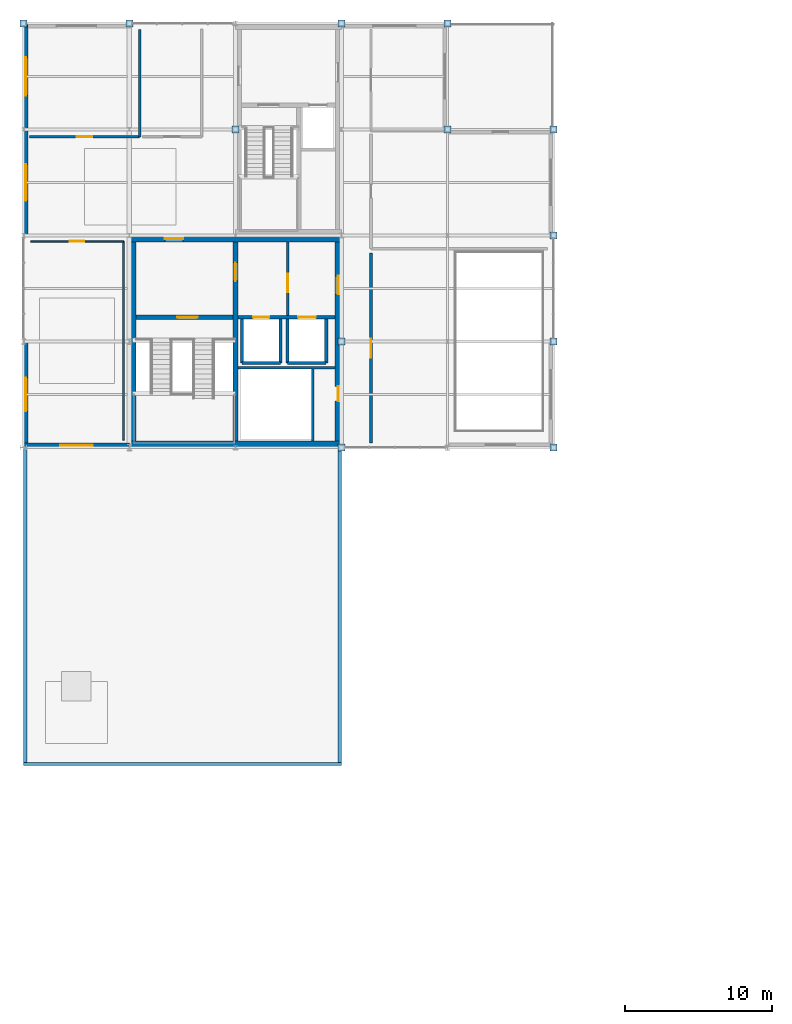
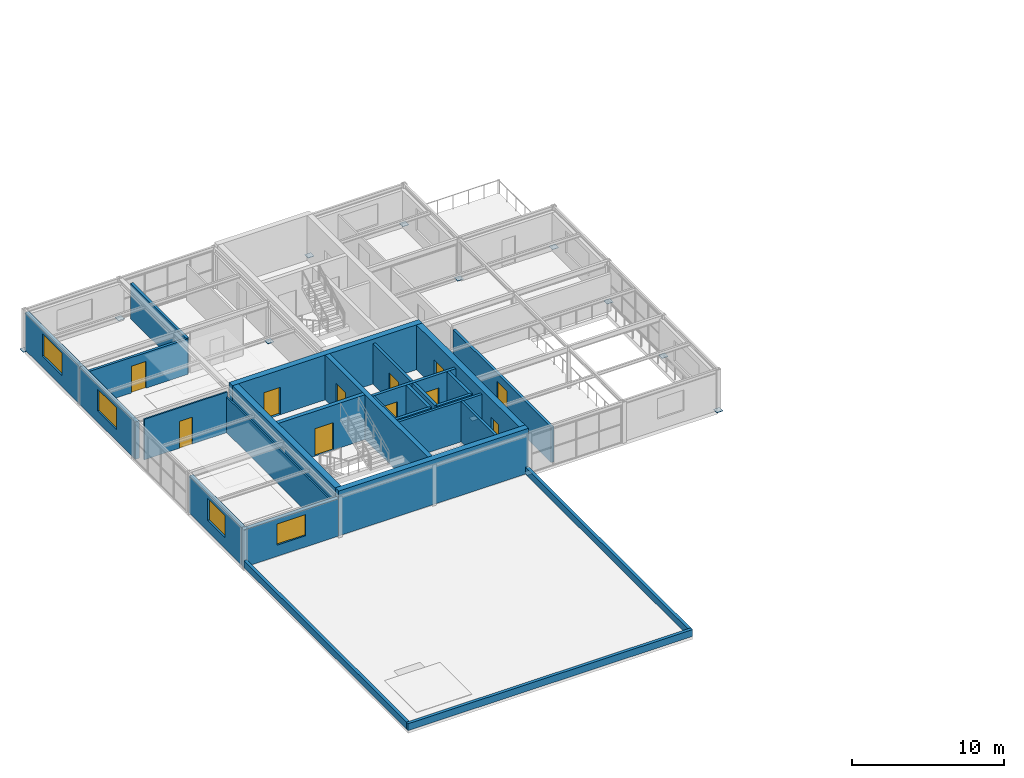
# One storey, part 15 of 22: 28 walls, 12 plates, 11 doors, 4 windows, 15 openings.
"""IFC4 building model written with IfcOpenShell, lengths in metres."""

from ifc_helpers import new_model, si_unit, direction, frame, frame_2d, origin, origin_2d, place, context, subcontext, project, spatial, rectangle, extrude, material, layer, layer_set, type_object, element, fill, save


model = new_model("IFC4")

# Units and contexts
model_context = context("Model", 3, precision=1e-05, world=origin(), true_north=direction((0.0, 1.0)))
body_context = subcontext(model_context, "Body", "Model", "MODEL_VIEW")
ifc_project = project(units=[si_unit("LENGTHUNIT", "METRE"), si_unit("AREAUNIT", "SQUARE_METRE"), si_unit("VOLUMEUNIT", "CUBIC_METRE"), si_unit("PLANEANGLEUNIT", "RADIAN"), si_unit("MASSUNIT", "GRAM", prefix="KILO")], contexts=[model_context])

# Site, building, storey
site_placement = place(None, origin())
site = spatial("IfcSite", under=ifc_project, at=site_placement, CompositionType="ELEMENT")
building_placement = place(site_placement, origin())
building = spatial("IfcBuilding", under=site, at=building_placement, Name="Leyfeld Transit Interchange", CompositionType="ELEMENT")
storey_placement = place(building_placement, frame((0.0, 0.0, 18.0)))
storey = spatial("IfcBuildingStorey", under=building, at=storey_placement, Name="L04", CompositionType="ELEMENT", Elevation=18.0)

# Plates
ifc_material_1 = material(Name="Steel S355J2", Category="steel")
ifc_layer_1 = layer(ifc_material_1, 0.028076171875, Name="Steel S355J2")
ifc_layer_set_1 = layer_set([ifc_layer_1], Name="Steel S355J2")
plate_type = type_object("IfcPlateType", Name="PLT-BASE-28", PredefinedType="USERDEFINED", material=ifc_layer_set_1)
for number, where, z_axis, x_axis, name in (
    (1, (0.0, 122.39990234375, 0.0), (0.0, 0.0, 1.0), (1.0, 0.0, 0.0), "Column Baseplate 0091"),
    (2, (7.199951171875, 122.39990234375, 0.0), (0.0, 0.0, 1.0), (1.0, 0.0, 0.0), "Column Baseplate 0167"),
    (3, (14.39990234375, 115.199951171875, 0.0), (0.0, 0.0, 1.0), (1.0, 0.0, 0.0), "Column Baseplate 0235"),
    (4, (21.60009765625, 93.60009765625, 0.0), (0.0, 0.0, 1.0), (1.0, 0.0, 0.0), "Column Baseplate 0293"),
    (5, (21.60009765625, 100.800048828125, 0.0), (0.0, 0.0, 1.0), (1.0, 0.0, 0.0), "Column Baseplate 0301"),
    (6, (21.60009765625, 122.39990234375, 0.0), (0.0, 0.0, 1.0), (1.0, 0.0, 0.0), "Column Baseplate 0321"),
    (7, (28.800048828125, 115.199951171875, 0.0), (0.0, 0.0, 1.0), (1.0, 0.0, 0.0), "Column Baseplate 0397"),
    (8, (28.800048828125, 122.39990234375, 0.0), (0.0, 0.0, 1.0), (1.0, 0.0, 0.0), "Column Baseplate 0403"),
    (9, (36.0, 93.60009765625, 0.0), (0.0, 0.0, 1.0), (1.0, 0.0, 0.0), "Column Baseplate 0437"),
    (10, (36.0, 100.800048828125, 0.0), (0.0, 0.0, 1.0), (1.0, 0.0, 0.0), "Column Baseplate 0442"),
    (11, (36.0, 108.0, 0.0), (0.0, 0.0, 1.0), (1.0, 0.0, 0.0), "Column Baseplate 0447"),
    (12, (36.0, 115.199951171875, 0.0), (0.0, 0.0, 1.0), (1.0, 0.0, 0.0), "Column Baseplate 0452"),
):
    element("IfcPlate", number, at=place(storey_placement, frame(where, z_axis=z_axis, x_axis=x_axis)), inside=storey, type_object=plate_type, Name=name, ObjectType="BASE_PLATE", PredefinedType="USERDEFINED", context=body_context, shape_type="SweptSolid", body=[
        extrude(rectangle(XDim=0.4599609375, YDim=0.4599609375, at=origin_2d()), origin(), (0.0, 0.0, 1.0), 0.028076171875),
    ])

# Wall, opening, window
ifc_material_2 = material(Name="Austrian larch glulam GL28h", Category="wood")
ifc_layer_2 = layer(ifc_material_2, 0.31005859375, Name="Austrian larch glulam GL28h")
ifc_layer_set_2 = layer_set([ifc_layer_2], Name="Austrian larch glulam GL28h")
wall_type_1 = type_object("IfcWallType", Name="WL-EXT-LRC-310", PredefinedType="SOLIDWALL", material=ifc_layer_set_2)
wall_1_placement = place(storey_placement, frame((7.199951171875, 93.7548828125, 0.0), z_axis=(0.0, 0.0, 1.0), x_axis=(-1.0, 0.0, 0.0)))
wall_1 = element("IfcWall", 13, at=wall_1_placement, inside=storey, type_object=wall_type_1, Name="External Facade Wall EW-L04-121", PredefinedType="SOLIDWALL", context=body_context, shape_type="SweptSolid", body=[
    extrude(rectangle(XDim=7.199951171875, YDim=0.31005859375, at=frame_2d((3.60009765625, 0.0))), origin(), (0.0, 0.0, 1.0), 3.0),
])
opening_1_placement = place(wall_1_placement, frame((2.5, 0.0, 0.89990234375)))
opening_1 = element("IfcOpeningElement", 14, at=opening_1_placement, cuts=wall_1, Name="Opening WM-07", PredefinedType="OPENING", context=body_context, shape_type="SweptSolid", body=[
    extrude(rectangle(XDim=2.199951171875, YDim=1.699951171875, at=frame_2d((1.10009765625, 0.85009765625))), frame((0.0, 0.1650390625, 0.0), z_axis=(0.0, -1.0, 0.0), x_axis=(1.0, 0.0, 0.0)), (0.0, 0.0, 1.0), 0.330078125),
])
ifc_material_3 = material(Name="Triple low-E insulated glazing", Category="glass")
window_type_1 = type_object("IfcWindowType", Name="WIN-MOD-07", PartitioningType="SINGLE_PANEL", PredefinedType="WINDOW", material=ifc_material_3)
window_1_placement = place(opening_1_placement, origin())
window_1 = element("IfcWindow", 15, at=window_1_placement, inside=storey, type_object=window_type_1, Name="Facade Window L04 084", OverallHeight=1.699951171875, OverallWidth=2.199951171875, PartitioningType="SINGLE_PANEL", PredefinedType="WINDOW", context=body_context, shape_type="SweptSolid", body=[
    extrude(rectangle(XDim=2.199951171875, YDim=1.699951171875, at=frame_2d((1.10009765625, 0.85009765625))), frame((0.0, 0.030029296875, 0.0), z_axis=(0.0, -1.0, 0.0), x_axis=(1.0, 0.0, 0.0)), (0.0, 0.0, 1.0), 0.06005859375),
])
fill(opening_1, window_1)

wall_2_placement = place(storey_placement, frame((0.155029296875, 93.60009765625, 0.0), z_axis=(0.0, 0.0, 1.0), x_axis=(0.0, 1.0, 0.0)))
wall_2 = element("IfcWall", 16, at=wall_2_placement, inside=storey, type_object=wall_type_1, Name="External Facade Wall EW-L04-122", PredefinedType="SOLIDWALL", context=body_context, shape_type="SweptSolid", body=[
    extrude(rectangle(XDim=7.199951171875, YDim=0.31005859375, at=frame_2d((3.60009765625, 0.0))), origin(), (0.0, 0.0, 1.0), 3.0),
])
opening_2_placement = place(wall_2_placement, frame((2.449951171875, 0.0, 0.89990234375)))
opening_2 = element("IfcOpeningElement", 17, at=opening_2_placement, cuts=wall_2, Name="Opening WM-08", PredefinedType="OPENING", context=body_context, shape_type="SweptSolid", body=[
    extrude(rectangle(XDim=2.300048828125, YDim=1.75, at=frame_2d((1.14990234375, 0.875))), frame((0.0, 0.1650390625, 0.0), z_axis=(0.0, -1.0, 0.0), x_axis=(1.0, 0.0, 0.0)), (0.0, 0.0, 1.0), 0.330078125),
])
window_type_2 = type_object("IfcWindowType", Name="WIN-MOD-08", PartitioningType="SINGLE_PANEL", PredefinedType="WINDOW", material=ifc_material_3)
window_2_placement = place(opening_2_placement, origin())
window_2 = element("IfcWindow", 18, at=window_2_placement, inside=storey, type_object=window_type_2, Name="Facade Window L04 085", OverallHeight=1.75, OverallWidth=2.300048828125, PartitioningType="SINGLE_PANEL", PredefinedType="WINDOW", context=body_context, shape_type="SweptSolid", body=[
    extrude(rectangle(XDim=2.300048828125, YDim=1.75, at=frame_2d((1.14990234375, 0.875))), frame((0.0, 0.030029296875, 0.0), z_axis=(0.0, -1.0, 0.0), x_axis=(1.0, 0.0, 0.0)), (0.0, 0.0, 1.0), 0.06005859375),
])
fill(opening_2, window_2)

wall_3_placement = place(storey_placement, frame((0.155029296875, 107.885009765625, 0.0), z_axis=(0.0, 0.0, 1.0), x_axis=(0.0, 1.0, 0.0)))
wall_3 = element("IfcWall", 19, at=wall_3_placement, inside=storey, type_object=wall_type_1, Name="External Facade Wall EW-L04-123", PredefinedType="SOLIDWALL", context=body_context, shape_type="SweptSolid", body=[
    extrude(rectangle(XDim=7.31494140625, YDim=0.31005859375, at=frame_2d((3.657470703125, 0.0))), origin(), (0.0, 0.0, 1.0), 3.0),
])
opening_3_placement = place(wall_3_placement, frame((2.465087890625, 0.0, 0.89990234375)))
opening_3 = element("IfcOpeningElement", 20, at=opening_3_placement, cuts=wall_3, Name="Opening WM-09", PredefinedType="OPENING", context=body_context, shape_type="SweptSolid", body=[
    extrude(rectangle(XDim=2.5, YDim=1.75, at=frame_2d((1.25, 0.875))), frame((0.0, 0.1650390625, 0.0), z_axis=(0.0, -1.0, 0.0), x_axis=(1.0, 0.0, 0.0)), (0.0, 0.0, 1.0), 0.330078125),
])
window_type_3 = type_object("IfcWindowType", Name="WIN-MOD-09", PartitioningType="SINGLE_PANEL", PredefinedType="WINDOW", material=ifc_material_3)
window_3_placement = place(opening_3_placement, origin())
window_3 = element("IfcWindow", 21, at=window_3_placement, inside=storey, type_object=window_type_3, Name="Facade Window L04 086", OverallHeight=1.75, OverallWidth=2.5, PartitioningType="SINGLE_PANEL", PredefinedType="WINDOW", context=body_context, shape_type="SweptSolid", body=[
    extrude(rectangle(XDim=2.5, YDim=1.75, at=frame_2d((1.25, 0.875))), frame((0.0, 0.030029296875, 0.0), z_axis=(0.0, -1.0, 0.0), x_axis=(1.0, 0.0, 0.0)), (0.0, 0.0, 1.0), 0.06005859375),
])
fill(opening_3, window_3)

wall_4_placement = place(storey_placement, frame((0.155029296875, 115.199951171875, 0.0), z_axis=(0.0, 0.0, 1.0), x_axis=(0.0, 1.0, 0.0)))
wall_4 = element("IfcWall", 22, at=wall_4_placement, inside=storey, type_object=wall_type_1, Name="External Facade Wall EW-L04-124", PredefinedType="SOLIDWALL", context=body_context, shape_type="SweptSolid", body=[
    extrude(rectangle(XDim=7.199951171875, YDim=0.31005859375, at=frame_2d((3.60009765625, 0.0))), origin(), (0.0, 0.0, 1.0), 3.0),
])
opening_4_placement = place(wall_4_placement, frame((2.300048828125, 0.0, 0.89990234375)))
opening_4 = element("IfcOpeningElement", 23, at=opening_4_placement, cuts=wall_4, Name="Opening WM-10", PredefinedType="OPENING", context=body_context, shape_type="SweptSolid", body=[
    extrude(rectangle(XDim=2.60009765625, YDim=1.800048828125, at=frame_2d((1.300048828125, 0.89990234375))), frame((0.0, 0.1650390625, 0.0), z_axis=(0.0, -1.0, 0.0), x_axis=(1.0, 0.0, 0.0)), (0.0, 0.0, 1.0), 0.330078125),
])
window_type_4 = type_object("IfcWindowType", Name="WIN-MOD-10", PartitioningType="SINGLE_PANEL", PredefinedType="WINDOW", material=ifc_material_3)
window_4_placement = place(opening_4_placement, origin())
window_4 = element("IfcWindow", 24, at=window_4_placement, inside=storey, type_object=window_type_4, Name="Facade Window L04 087", OverallHeight=1.800048828125, OverallWidth=2.60009765625, PartitioningType="SINGLE_PANEL", PredefinedType="WINDOW", context=body_context, shape_type="SweptSolid", body=[
    extrude(rectangle(XDim=2.60009765625, YDim=1.800048828125, at=frame_2d((1.300048828125, 0.89990234375))), frame((0.0, 0.030029296875, 0.0), z_axis=(0.0, -1.0, 0.0), x_axis=(1.0, 0.0, 0.0)), (0.0, 0.0, 1.0), 0.06005859375),
])
fill(opening_4, window_4)

# Wall, opening, door
ifc_material_4 = material(Name="Concrete C35/45", Category="concrete")
ifc_layer_3 = layer(ifc_material_4, 0.199951171875, Name="Concrete C35/45")
ifc_layer_set_3 = layer_set([ifc_layer_3], Name="Concrete C35/45")
wall_type_2 = type_object("IfcWallType", Name="WL-INT-FFL-200", PredefinedType="PARTITIONING", material=ifc_layer_set_3)
wall_5_placement = place(storey_placement, frame((17.949951171875, 102.56005859375, 0.0), z_axis=(0.0, 0.0, 1.0), x_axis=(0.0, 1.0, 0.0)))
wall_5 = element("IfcWall", 25, at=wall_5_placement, inside=storey, type_object=wall_type_2, Name="Core K1 Firefighting Lobby Compartment Wall L04", PredefinedType="PARTITIONING", context=body_context, shape_type="SweptSolid", body=[
    extrude(rectangle(XDim=4.989990234375, YDim=0.199951171875, at=frame_2d((2.4951171875, 0.0))), origin(), (0.0, 0.0, 1.0), 3.25),
])
opening_5_placement = place(wall_5_placement, frame((1.60009765625, 0.0, 0.0)))
opening_5 = element("IfcOpeningElement", 26, at=opening_5_placement, cuts=wall_5, Name="Opening DI-02", PredefinedType="OPENING", context=body_context, shape_type="SweptSolid", body=[
    extrude(rectangle(XDim=1.25, YDim=2.199951171875, at=frame_2d((0.625, 1.10009765625))), frame((0.0, 0.10986328125, 0.0), z_axis=(0.0, -1.0, 0.0), x_axis=(1.0, 0.0, 0.0)), (0.0, 0.0, 1.0), 0.219970703125),
])
ifc_material_5 = material(Name="Galvanised steel S275JR", Category="steel")
door_type_1 = type_object("IfcDoorType", Name="DR-FFL-1250x2200", OperationType="NOTDEFINED", PredefinedType="DOOR", material=ifc_material_5)
door_1_placement = place(opening_5_placement, origin())
door_1 = element("IfcDoor", 27, at=door_1_placement, inside=storey, type_object=door_type_1, Name="DR-FFL-CON-K1-L04", OperationType="SINGLE_SWING_RIGHT", OverallHeight=2.199951171875, OverallWidth=1.25, PredefinedType="DOOR", context=body_context, shape_type="SweptSolid", body=[
    extrude(rectangle(XDim=1.25, YDim=2.199951171875, at=frame_2d((0.625, 1.10009765625))), frame((0.0, 0.02490234375, 0.0), z_axis=(0.0, -1.0, 0.0), x_axis=(1.0, 0.0, 0.0)), (0.0, 0.0, 1.0), 0.050048828125),
])
fill(opening_5, door_1)

wall_6_placement = place(storey_placement, frame((23.60009765625, 93.89990234375, 0.0), z_axis=(0.0, 0.0, 1.0), x_axis=(0.0, 1.0, 0.0)))
wall_6 = element("IfcWall", 28, at=wall_6_placement, inside=storey, type_object=wall_type_2, Name="Interior Partition L04-SIM-01 W", PredefinedType="PARTITIONING", context=body_context, shape_type="SweptSolid", body=[
    extrude(rectangle(XDim=12.900146484375, YDim=0.199951171875, at=frame_2d((6.4501953125, 0.0))), origin(), (0.0, 0.0, 1.0), 2.85009765625),
])
opening_6_placement = place(wall_6_placement, frame((5.800048828125, 0.0, 0.0)))
opening_6 = element("IfcOpeningElement", 29, at=opening_6_placement, cuts=wall_6, Name="Opening DV-05", PredefinedType="OPENING", context=body_context, shape_type="SweptSolid", body=[
    extrude(rectangle(XDim=1.300048828125, YDim=2.199951171875, at=frame_2d((0.64990234375, 1.10009765625))), frame((0.0, 0.10986328125, 0.0), z_axis=(0.0, -1.0, 0.0), x_axis=(1.0, 0.0, 0.0)), (0.0, 0.0, 1.0), 0.219970703125),
])
door_type_2 = type_object("IfcDoorType", Name="DR-VAR-05", OperationType="NOTDEFINED", PredefinedType="DOOR", material=ifc_material_2)
door_2_placement = place(opening_6_placement, origin())
door_2 = element("IfcDoor", 30, at=door_2_placement, inside=storey, type_object=door_type_2, Name="DR-L04-SIM-01", OperationType="SINGLE_SWING_LEFT", OverallHeight=2.199951171875, OverallWidth=1.300048828125, PredefinedType="DOOR", context=body_context, shape_type="SweptSolid", body=[
    extrude(rectangle(XDim=1.300048828125, YDim=2.199951171875, at=frame_2d((0.64990234375, 1.10009765625))), frame((0.0, 0.02490234375, 0.0), z_axis=(0.0, -1.0, 0.0), x_axis=(1.0, 0.0, 0.0)), (0.0, 0.0, 1.0), 0.050048828125),
])
fill(opening_6, door_2)

ifc_material_6 = material(Name="Gypsum plasterboard acoustic stud", Category="gypsum")
ifc_layer_4 = layer(ifc_material_6, 0.114990234375, Name="Gypsum plasterboard acoustic stud")
ifc_layer_set_4 = layer_set([ifc_layer_4], Name="Gypsum plasterboard acoustic stud")
wall_type_3 = type_object("IfcWallType", Name="WL-INT-OFF-115", PredefinedType="PARTITIONING", material=ifc_layer_set_4)
wall_7_placement = place(storey_placement, frame((0.5, 107.60009765625, 0.0), z_axis=(0.0, 0.0, 1.0), x_axis=(1.0, 0.0, 0.0)))
wall_7 = element("IfcWall", 31, at=wall_7_placement, inside=storey, type_object=wall_type_3, Name="Interior Partition L04-DIR-01 N", PredefinedType="PARTITIONING", context=body_context, shape_type="SweptSolid", body=[
    extrude(rectangle(XDim=6.300048828125, YDim=0.114990234375, at=frame_2d((3.14990234375, 0.0))), origin(), (0.0, 0.0, 1.0), 3.25),
])
opening_7_placement = place(wall_7_placement, frame((2.659912109375, 0.0, 0.0)))
opening_7 = element("IfcOpeningElement", 32, at=opening_7_placement, cuts=wall_7, Name="Opening DV-02", PredefinedType="OPENING", context=body_context, shape_type="SweptSolid", body=[
    extrude(rectangle(XDim=0.97998046875, YDim=2.14990234375, at=frame_2d((0.489990234375, 1.074951171875))), frame((0.0, 0.0673828125, 0.0), z_axis=(0.0, -1.0, 0.0), x_axis=(1.0, 0.0, 0.0)), (0.0, 0.0, 1.0), 0.135009765625),
])
door_type_3 = type_object("IfcDoorType", Name="DR-VAR-02", OperationType="NOTDEFINED", PredefinedType="DOOR", material=ifc_material_2)
door_3_placement = place(opening_7_placement, origin())
door_3 = element("IfcDoor", 33, at=door_3_placement, inside=storey, type_object=door_type_3, Name="DR-L04-DIR-01", OperationType="SINGLE_SWING_RIGHT", OverallHeight=2.14990234375, OverallWidth=0.97998046875, PredefinedType="DOOR", context=body_context, shape_type="SweptSolid", body=[
    extrude(rectangle(XDim=0.97998046875, YDim=2.14990234375, at=frame_2d((0.489990234375, 1.074951171875))), frame((0.0, 0.02490234375, 0.0), z_axis=(0.0, -1.0, 0.0), x_axis=(1.0, 0.0, 0.0)), (0.0, 0.0, 1.0), 0.050048828125),
])
fill(opening_7, door_3)

# Walls
wall_8_placement = place(storey_placement, frame((6.800048828125, 107.60009765625, 0.0), z_axis=(0.0, 0.0, 1.0), x_axis=(0.0, -1.0, 0.0)))
element("IfcWall", 34, at=wall_8_placement, inside=storey, type_object=wall_type_3, Name="Interior Partition L04-DIR-01 E", PredefinedType="PARTITIONING", context=body_context, shape_type="SweptSolid", body=[
    extrude(rectangle(XDim=13.5, YDim=0.114990234375, at=frame_2d((6.75, 0.0))), origin(), (0.0, 0.0, 1.0), 2.85009765625),
])
ifc_material_7 = material(Name="Calcium silicate masonry", Category="masonry")
ifc_layer_5 = layer(ifc_material_7, 0.18994140625, Name="Calcium silicate masonry")
ifc_layer_set_5 = layer_set([ifc_layer_5], Name="Calcium silicate masonry")
wall_type_4 = type_object("IfcWallType", Name="WL-INT-PLT-190", PredefinedType="PARTITIONING", material=ifc_layer_set_5)
wall_9_placement = place(storey_placement, frame((14.580078125, 99.02001953125, 0.0), z_axis=(0.0, 0.0, 1.0), x_axis=(1.0, 0.0, 0.0)))
element("IfcWall", 35, at=wall_9_placement, inside=storey, type_object=wall_type_4, Name="Core K1 Riser Compartment Wall L04", PredefinedType="PARTITIONING", context=body_context, shape_type="SweptSolid", body=[
    extrude(rectangle(XDim=6.56982421875, YDim=0.18994140625, at=frame_2d((3.284912109375, 0.0))), origin(), (0.0, 0.0, 1.0), 3.25),
])
wall_10_placement = place(storey_placement, frame((19.64990234375, 94.050048828125, 0.0), z_axis=(0.0, 0.0, 1.0), x_axis=(0.0, 1.0, 0.0)))
element("IfcWall", 36, at=wall_10_placement, inside=storey, type_object=wall_type_4, Name="Core K1 Riser Shaft East Wall L04", PredefinedType="PARTITIONING", context=body_context, shape_type="SweptSolid", body=[
    extrude(rectangle(XDim=4.8798828125, YDim=0.18994140625, at=frame_2d((2.43994140625, 0.0))), origin(), (0.0, 0.0, 1.0), 3.25),
])

# Wall, opening, door
wall_11_placement = place(storey_placement, frame((7.89990234375, 114.699951171875, 0.0), z_axis=(0.0, 0.0, 1.0), x_axis=(-1.0, 0.0, 0.0)))
wall_11 = element("IfcWall", 37, at=wall_11_placement, inside=storey, type_object=wall_type_4, Name="Interior Partition L04-HVAC-01 S", PredefinedType="PARTITIONING", context=body_context, shape_type="SweptSolid", body=[
    extrude(rectangle(XDim=7.5, YDim=0.18994140625, at=frame_2d((3.75, 0.0))), origin(), (0.0, 0.0, 1.0), 2.85009765625),
])
opening_8_placement = place(wall_11_placement, frame((3.2099609375, 0.0, 0.0)))
opening_8 = element("IfcOpeningElement", 38, at=opening_8_placement, cuts=wall_11, Name="Opening DV-03", PredefinedType="OPENING", context=body_context, shape_type="SweptSolid", body=[
    extrude(rectangle(XDim=1.080078125, YDim=2.14990234375, at=frame_2d((0.5400390625, 1.074951171875))), frame((0.0, 0.10498046875, 0.0), z_axis=(0.0, -1.0, 0.0), x_axis=(1.0, 0.0, 0.0)), (0.0, 0.0, 1.0), 0.2099609375),
])
door_type_4 = type_object("IfcDoorType", Name="DR-VAR-03", OperationType="NOTDEFINED", PredefinedType="DOOR", material=ifc_material_2)
door_4_placement = place(opening_8_placement, origin())
door_4 = element("IfcDoor", 39, at=door_4_placement, inside=storey, type_object=door_type_4, Name="DR-L04-HVAC-01", OperationType="SINGLE_SWING_LEFT", OverallHeight=2.14990234375, OverallWidth=1.080078125, PredefinedType="DOOR", context=body_context, shape_type="SweptSolid", body=[
    extrude(rectangle(XDim=1.080078125, YDim=2.14990234375, at=frame_2d((0.5400390625, 1.074951171875))), frame((0.0, 0.02490234375, 0.0), z_axis=(0.0, -1.0, 0.0), x_axis=(1.0, 0.0, 0.0)), (0.0, 0.0, 1.0), 0.050048828125),
])
fill(opening_8, door_4)

# Wall
wall_12_placement = place(storey_placement, frame((7.89990234375, 122.0, 0.0), z_axis=(0.0, 0.0, 1.0), x_axis=(0.0, -1.0, 0.0)))
element("IfcWall", 40, at=wall_12_placement, inside=storey, type_object=wall_type_4, Name="Interior Partition L04-HVAC-01 E", PredefinedType="PARTITIONING", context=body_context, shape_type="SweptSolid", body=[
    extrude(rectangle(XDim=7.300048828125, YDim=0.18994140625, at=frame_2d((3.64990234375, 0.0))), origin(), (0.0, 0.0, 1.0), 2.85009765625),
])

# Wall, openings, doors
ifc_layer_6 = layer(ifc_material_4, 0.219970703125, Name="Concrete C35/45")
ifc_layer_set_6 = layer_set([ifc_layer_6], Name="Concrete C35/45")
wall_type_5 = type_object("IfcWallType", Name="WL-INT-SHF-220", PredefinedType="PARTITIONING", material=ifc_layer_set_6)
wall_13_placement = place(storey_placement, frame((14.580078125, 102.449951171875, 0.0), z_axis=(0.0, 0.0, 1.0), x_axis=(1.0, 0.0, 0.0)))
wall_13 = element("IfcWall", 41, at=wall_13_placement, inside=storey, type_object=wall_type_5, Name="Core K1 Lift Shaft Front Wall L04", PredefinedType="PARTITIONING", context=body_context, shape_type="SweptSolid", body=[
    extrude(rectangle(XDim=6.56982421875, YDim=0.219970703125, at=frame_2d((3.284912109375, 0.0))), origin(), (0.0, 0.0, 1.0), 3.25),
])
opening_9_placement = place(wall_13_placement, frame((1.02001953125, 0.0, 0.0)))
opening_9 = element("IfcOpeningElement", 42, at=opening_9_placement, cuts=wall_13, Name="Opening LD-01", PredefinedType="OPENING", context=body_context, shape_type="SweptSolid", body=[
    extrude(rectangle(XDim=1.10009765625, YDim=2.14990234375, at=frame_2d((0.550048828125, 1.074951171875))), frame((0.0, 0.119873046875, 0.0), z_axis=(0.0, -1.0, 0.0), x_axis=(1.0, 0.0, 0.0)), (0.0, 0.0, 1.0), 0.239990234375),
])
opening_10_placement = place(wall_13_placement, frame((4.070068359375, 0.0, 0.0)))
opening_10 = element("IfcOpeningElement", 43, at=opening_10_placement, cuts=wall_13, Name="Opening LD-02", PredefinedType="OPENING", context=body_context, shape_type="SweptSolid", body=[
    extrude(rectangle(XDim=1.199951171875, YDim=2.14990234375, at=frame_2d((0.60009765625, 1.074951171875))), frame((0.0, 0.119873046875, 0.0), z_axis=(0.0, -1.0, 0.0), x_axis=(1.0, 0.0, 0.0)), (0.0, 0.0, 1.0), 0.239990234375),
])
ifc_material_8 = material(Name="Stainless steel EN 1.4404", Category="steel")
door_type_5 = type_object("IfcDoorType", Name="DR-LD-FFL-1100x2150", OperationType="NOTDEFINED", PredefinedType="DOOR", material=ifc_material_8)
door_5_placement = place(opening_9_placement, origin())
door_5 = element("IfcDoor", 44, at=door_5_placement, inside=storey, type_object=door_type_5, Name="LD-FFL-1-L04", OperationType="DOUBLE_DOOR_SLIDING", OverallHeight=2.14990234375, OverallWidth=1.10009765625, PredefinedType="DOOR", context=body_context, shape_type="SweptSolid", body=[
    extrude(rectangle(XDim=1.10009765625, YDim=2.14990234375, at=frame_2d((0.550048828125, 1.074951171875))), frame((0.0, 0.02490234375, 0.0), z_axis=(0.0, -1.0, 0.0), x_axis=(1.0, 0.0, 0.0)), (0.0, 0.0, 1.0), 0.050048828125),
])
fill(opening_9, door_5)
door_type_6 = type_object("IfcDoorType", Name="DR-LD-PAS-1200x2150", OperationType="NOTDEFINED", PredefinedType="DOOR", material=ifc_material_8)
door_6_placement = place(opening_10_placement, origin())
door_6 = element("IfcDoor", 45, at=door_6_placement, inside=storey, type_object=door_type_6, Name="LD-PL-1-L04", OperationType="DOUBLE_DOOR_SLIDING", OverallHeight=2.14990234375, OverallWidth=1.199951171875, PredefinedType="DOOR", context=body_context, shape_type="SweptSolid", body=[
    extrude(rectangle(XDim=1.199951171875, YDim=2.14990234375, at=frame_2d((0.60009765625, 1.074951171875))), frame((0.0, 0.02490234375, 0.0), z_axis=(0.0, -1.0, 0.0), x_axis=(1.0, 0.0, 0.0)), (0.0, 0.0, 1.0), 0.050048828125),
])
fill(opening_10, door_6)

# Walls
wall_14_placement = place(storey_placement, frame((14.840087890625, 99.340087890625, 0.0), z_axis=(0.0, 0.0, 1.0), x_axis=(1.0, 0.0, 0.0)))
element("IfcWall", 46, at=wall_14_placement, inside=storey, type_object=wall_type_5, Name="Core K1 Lift FFL-1 Shaft Back Wall L04", PredefinedType="PARTITIONING", context=body_context, shape_type="SweptSolid", body=[
    extrude(rectangle(XDim=2.619873046875, YDim=0.219970703125, at=frame_2d((1.31005859375, 0.0))), origin(), (0.0, 0.0, 1.0), 3.25),
])
for number, where, z_axis, x_axis, name in (
    (47, (14.840087890625, 99.340087890625, 0.0), (0.0, 0.0, 1.0), (0.0, 1.0, 0.0), "Core K1 Lift FFL-1 Shaft Wall W L04"),
    (48, (17.4599609375, 99.340087890625, 0.0), (0.0, 0.0, 1.0), (0.0, 1.0, 0.0), "Core K1 Lift FFL-1 Shaft Wall E L04"),
):
    element("IfcWall", number, at=place(storey_placement, frame(where, z_axis=z_axis, x_axis=x_axis)), inside=storey, type_object=wall_type_5, Name=name, PredefinedType="PARTITIONING", context=body_context, shape_type="SweptSolid", body=[
        extrude(rectangle(XDim=3.0, YDim=0.219970703125, at=frame_2d((1.5, 0.0))), origin(), (0.0, 0.0, 1.0), 3.25),
    ])
wall_15_placement = place(storey_placement, frame((17.93994140625, 99.340087890625, 0.0), z_axis=(0.0, 0.0, 1.0), x_axis=(1.0, 0.0, 0.0)))
element("IfcWall", 49, at=wall_15_placement, inside=storey, type_object=wall_type_5, Name="Core K1 Lift PL-1 Shaft Back Wall L04", PredefinedType="PARTITIONING", context=body_context, shape_type="SweptSolid", body=[
    extrude(rectangle(XDim=2.6201171875, YDim=0.219970703125, at=frame_2d((1.31005859375, 0.0))), origin(), (0.0, 0.0, 1.0), 3.25),
])
for number, where, z_axis, x_axis, name in (
    (50, (17.93994140625, 99.340087890625, 0.0), (0.0, 0.0, 1.0), (0.0, 1.0, 0.0), "Core K1 Lift PL-1 Shaft Wall W L04"),
    (51, (20.56005859375, 99.340087890625, 0.0), (0.0, 0.0, 1.0), (0.0, 1.0, 0.0), "Core K1 Lift PL-1 Shaft Wall E L04"),
):
    element("IfcWall", number, at=place(storey_placement, frame(where, z_axis=z_axis, x_axis=x_axis)), inside=storey, type_object=wall_type_5, Name=name, PredefinedType="PARTITIONING", context=body_context, shape_type="SweptSolid", body=[
        extrude(rectangle(XDim=3.0, YDim=0.219970703125, at=frame_2d((1.5, 0.0))), origin(), (0.0, 0.0, 1.0), 3.25),
    ])
ifc_material_9 = material(Name="Clinker brick masonry - Insulated", Category="masonry")
ifc_layer_7 = layer(ifc_material_9, 0.22998046875, Name="Clinker brick masonry - Insulated")
ifc_layer_set_7 = layer_set([ifc_layer_7], Name="Clinker brick masonry - Insulated")
wall_type_6 = type_object("IfcWallType", Name="WL-PAR-230", PredefinedType="PARAPET", material=ifc_layer_set_7)
for number, where, z_axis, x_axis, name in (
    (52, (21.485107421875, 72.0, 0.0), (0.0, 0.0, 1.0), (0.0, 1.0, 0.0), "Roof Parapet L04 006"),
    (53, (0.114990234375, 93.60009765625, 0.0), (0.0, 0.0, 1.0), (0.0, -1.0, 0.0), "Roof Parapet L04 007"),
    (54, (0.0, 72.114990234375, 0.0), (0.0, 0.0, 1.0), (1.0, 0.0, 0.0), "Roof Parapet L04 008"),
):
    element("IfcWall", number, at=place(storey_placement, frame(where, z_axis=z_axis, x_axis=x_axis)), inside=storey, type_object=wall_type_6, Name=name, PredefinedType="PARAPET", context=body_context, shape_type="SweptSolid", body=[
        extrude(rectangle(XDim=21.60009765625, YDim=0.22998046875, at=frame_2d((10.800048828125, 0.0))), origin(), (0.0, 0.0, 1.0), 0.550048828125),
    ])

# Wall, opening, door
ifc_layer_8 = layer(ifc_material_4, 0.300048828125, Name="Concrete C35/45")
ifc_layer_set_8 = layer_set([ifc_layer_8], Name="Concrete C35/45")
wall_type_7 = type_object("IfcWallType", Name="WL-SH-300", PredefinedType="SHEAR", material=ifc_layer_set_8)
wall_16_placement = place(storey_placement, frame((7.64990234375, 102.449951171875, 0.0), z_axis=(0.0, 0.0, 1.0), x_axis=(1.0, 0.0, 0.0)))
wall_16 = element("IfcWall", 55, at=wall_16_placement, inside=storey, type_object=wall_type_7, Name="Core K1 Shear Wall STRN L04", PredefinedType="SHEAR", context=body_context, shape_type="SweptSolid", body=[
    extrude(rectangle(XDim=6.5751953125, YDim=0.300048828125, at=frame_2d((3.28759765625, 0.0))), origin(), (0.0, 0.0, 1.0), 3.60009765625),
])
opening_11_placement = place(wall_16_placement, frame((2.78759765625, 0.0, 0.0)))
opening_11 = element("IfcOpeningElement", 56, at=opening_11_placement, cuts=wall_16, Name="Opening DI-01", PredefinedType="OPENING", context=body_context, shape_type="SweptSolid", body=[
    extrude(rectangle(XDim=1.39990234375, YDim=2.199951171875, at=frame_2d((0.699951171875, 1.10009765625))), frame((0.0, 0.159912109375, 0.0), z_axis=(0.0, -1.0, 0.0), x_axis=(1.0, 0.0, 0.0)), (0.0, 0.0, 1.0), 0.320068359375),
])
door_type_7 = type_object("IfcDoorType", Name="DR-STR-1400x2200", OperationType="NOTDEFINED", PredefinedType="DOOR", material=ifc_material_5)
door_7_placement = place(opening_11_placement, origin())
door_7 = element("IfcDoor", 57, at=door_7_placement, inside=storey, type_object=door_type_7, Name="DR-STR-INT-K1-L04", OperationType="SINGLE_SWING_LEFT", OverallHeight=2.199951171875, OverallWidth=1.39990234375, PredefinedType="DOOR", context=body_context, shape_type="SweptSolid", body=[
    extrude(rectangle(XDim=1.39990234375, YDim=2.199951171875, at=frame_2d((0.699951171875, 1.10009765625))), frame((0.0, 0.02490234375, 0.0), z_axis=(0.0, -1.0, 0.0), x_axis=(1.0, 0.0, 0.0)), (0.0, 0.0, 1.0), 0.050048828125),
])
fill(opening_11, door_7)

ifc_layer_9 = layer(ifc_material_4, 0.35009765625, Name="Concrete C35/45")
ifc_layer_set_9 = layer_set([ifc_layer_9], Name="Concrete C35/45")
wall_type_8 = type_object("IfcWallType", Name="WL-SH-350", PredefinedType="SHEAR", material=ifc_layer_set_9)
wall_17_placement = place(storey_placement, frame((14.39990234375, 107.550048828125, 0.0), z_axis=(0.0, 0.0, 1.0), x_axis=(0.0, -1.0, 0.0)))
wall_17 = element("IfcWall", 58, at=wall_17_placement, inside=storey, type_object=wall_type_8, Name="Core K1 Shear Wall MID L04", PredefinedType="SHEAR", context=body_context, shape_type="SweptSolid", body=[
    extrude(rectangle(XDim=13.5, YDim=0.35009765625, at=frame_2d((6.75, 0.0))), origin(), (0.0, 0.0, 1.0), 3.60009765625),
])
opening_12_placement = place(wall_17_placement, frame((1.39990234375, 0.0, 0.0)))
opening_12 = element("IfcOpeningElement", 59, at=opening_12_placement, cuts=wall_17, Name="Opening DI-02", PredefinedType="OPENING", context=body_context, shape_type="SweptSolid", body=[
    extrude(rectangle(XDim=1.25, YDim=2.199951171875, at=frame_2d((0.625, 1.10009765625))), frame((0.0, 0.18505859375, 0.0), z_axis=(0.0, -1.0, 0.0), x_axis=(1.0, 0.0, 0.0)), (0.0, 0.0, 1.0), 0.3701171875),
])
door_8_placement = place(opening_12_placement, origin())
door_8 = element("IfcDoor", 60, at=door_8_placement, inside=storey, type_object=door_type_1, Name="DR-CORE-MID-K1-L04", OperationType="SINGLE_SWING_RIGHT", OverallHeight=2.199951171875, OverallWidth=1.25, PredefinedType="DOOR", context=body_context, shape_type="SweptSolid", body=[
    extrude(rectangle(XDim=1.25, YDim=2.199951171875, at=frame_2d((0.625, 1.10009765625))), frame((0.0, 0.02490234375, 0.0), z_axis=(0.0, -1.0, 0.0), x_axis=(1.0, 0.0, 0.0)), (0.0, 0.0, 1.0), 0.050048828125),
])
fill(opening_12, door_8)

ifc_layer_10 = layer(ifc_material_4, 0.449951171875, Name="Concrete C35/45")
ifc_layer_set_10 = layer_set([ifc_layer_10], Name="Concrete C35/45")
wall_type_9 = type_object("IfcWallType", Name="WL-SH-450", PredefinedType="SHEAR", material=ifc_layer_set_10)
wall_18_placement = place(storey_placement, frame((7.199951171875, 107.77490234375, 0.0), z_axis=(0.0, 0.0, 1.0), x_axis=(1.0, 0.0, 0.0)))
wall_18 = element("IfcWall", 61, at=wall_18_placement, inside=storey, type_object=wall_type_9, Name="Core K1 Shear Wall N L04", PredefinedType="SHEAR", context=body_context, shape_type="SweptSolid", body=[
    extrude(rectangle(XDim=14.400146484375, YDim=0.449951171875, at=frame_2d((7.2001953125, 0.0))), origin(), (0.0, 0.0, 1.0), 3.60009765625),
])
opening_13_placement = place(wall_18_placement, frame((2.39990234375, 0.0, 0.0)))
opening_13 = element("IfcOpeningElement", 62, at=opening_13_placement, cuts=wall_18, Name="Opening DI-02", PredefinedType="OPENING", context=body_context, shape_type="SweptSolid", body=[
    extrude(rectangle(XDim=1.25, YDim=2.199951171875, at=frame_2d((0.625, 1.10009765625))), frame((0.0, 0.23486328125, 0.0), z_axis=(0.0, -1.0, 0.0), x_axis=(1.0, 0.0, 0.0)), (0.0, 0.0, 1.0), 0.469970703125),
])
door_9_placement = place(opening_13_placement, origin())
door_9 = element("IfcDoor", 63, at=door_9_placement, inside=storey, type_object=door_type_1, Name="DR-CORE-OUT-K1-L04-N", OperationType="SINGLE_SWING_LEFT", OverallHeight=2.199951171875, OverallWidth=1.25, PredefinedType="DOOR", context=body_context, shape_type="SweptSolid", body=[
    extrude(rectangle(XDim=1.25, YDim=2.199951171875, at=frame_2d((0.625, 1.10009765625))), frame((0.0, 0.02490234375, 0.0), z_axis=(0.0, -1.0, 0.0), x_axis=(1.0, 0.0, 0.0)), (0.0, 0.0, 1.0), 0.050048828125),
])
fill(opening_13, door_9)

# Wall, openings, doors
wall_19_placement = place(storey_placement, frame((21.375, 107.550048828125, 0.0), z_axis=(0.0, 0.0, 1.0), x_axis=(0.0, -1.0, 0.0)))
wall_19 = element("IfcWall", 64, at=wall_19_placement, inside=storey, type_object=wall_type_9, Name="Core K1 Shear Wall E L04", PredefinedType="SHEAR", context=body_context, shape_type="SweptSolid", body=[
    extrude(rectangle(XDim=13.5, YDim=0.449951171875, at=frame_2d((6.75, 0.0))), origin(), (0.0, 0.0, 1.0), 3.60009765625),
])
opening_14_placement = place(wall_19_placement, frame((9.800048828125, 0.0, 0.0)))
opening_14 = element("IfcOpeningElement", 65, at=opening_14_placement, cuts=wall_19, Name="Opening DI-05", PredefinedType="OPENING", context=body_context, shape_type="SweptSolid", body=[
    extrude(rectangle(XDim=1.0, YDim=2.14990234375, at=frame_2d((0.5, 1.074951171875))), frame((0.0, 0.23486328125, 0.0), z_axis=(0.0, -1.0, 0.0), x_axis=(1.0, 0.0, 0.0)), (0.0, 0.0, 1.0), 0.469970703125),
])
opening_15_placement = place(wall_19_placement, frame((2.300048828125, 0.0, 0.0)))
opening_15 = element("IfcOpeningElement", 66, at=opening_15_placement, cuts=wall_19, Name="Opening DI-02", PredefinedType="OPENING", context=body_context, shape_type="SweptSolid", body=[
    extrude(rectangle(XDim=1.25, YDim=2.199951171875, at=frame_2d((0.625, 1.10009765625))), frame((0.0, 0.23486328125, 0.0), z_axis=(0.0, -1.0, 0.0), x_axis=(1.0, 0.0, 0.0)), (0.0, 0.0, 1.0), 0.469970703125),
])
door_10_placement = place(opening_15_placement, origin())
door_10 = element("IfcDoor", 67, at=door_10_placement, inside=storey, type_object=door_type_1, Name="DR-CORE-OUT-K1-L04-E", OperationType="SINGLE_SWING_RIGHT", OverallHeight=2.199951171875, OverallWidth=1.25, PredefinedType="DOOR", context=body_context, shape_type="SweptSolid", body=[
    extrude(rectangle(XDim=1.25, YDim=2.199951171875, at=frame_2d((0.625, 1.10009765625))), frame((0.0, 0.02490234375, 0.0), z_axis=(0.0, -1.0, 0.0), x_axis=(1.0, 0.0, 0.0)), (0.0, 0.0, 1.0), 0.050048828125),
])
fill(opening_15, door_10)
door_type_8 = type_object("IfcDoorType", Name="DR-OFF-1000x2150", OperationType="NOTDEFINED", PredefinedType="DOOR", material=ifc_material_2)
door_11_placement = place(opening_14_placement, origin())
door_11 = element("IfcDoor", 68, at=door_11_placement, inside=storey, type_object=door_type_8, Name="DR-RSR-K1-L04", OperationType="SINGLE_SWING_LEFT", OverallHeight=2.14990234375, OverallWidth=1.0, PredefinedType="DOOR", context=body_context, shape_type="SweptSolid", body=[
    extrude(rectangle(XDim=1.0, YDim=2.14990234375, at=frame_2d((0.5, 1.074951171875))), frame((0.0, 0.02490234375, 0.0), z_axis=(0.0, -1.0, 0.0), x_axis=(1.0, 0.0, 0.0)), (0.0, 0.0, 1.0), 0.050048828125),
])
fill(opening_14, door_11)

# Walls
wall_20_placement = place(storey_placement, frame((21.60009765625, 93.824951171875, 0.0), z_axis=(0.0, 0.0, 1.0), x_axis=(-1.0, 0.0, 0.0)))
element("IfcWall", 69, at=wall_20_placement, inside=storey, type_object=wall_type_9, Name="Core K1 Shear Wall S L04", PredefinedType="SHEAR", context=body_context, shape_type="SweptSolid", body=[
    extrude(rectangle(XDim=14.400146484375, YDim=0.449951171875, at=frame_2d((7.2001953125, 0.0))), origin(), (0.0, 0.0, 1.0), 3.60009765625),
])
wall_21_placement = place(storey_placement, frame((7.425048828125, 94.050048828125, 0.0), z_axis=(0.0, 0.0, 1.0), x_axis=(0.0, 1.0, 0.0)))
element("IfcWall", 70, at=wall_21_placement, inside=storey, type_object=wall_type_9, Name="Core K1 Shear Wall W L04", PredefinedType="SHEAR", context=body_context, shape_type="SweptSolid", body=[
    extrude(rectangle(XDim=13.5, YDim=0.449951171875, at=frame_2d((6.75, 0.0))), origin(), (0.0, 0.0, 1.0), 3.60009765625),
])

save(model, "model.ifc")
